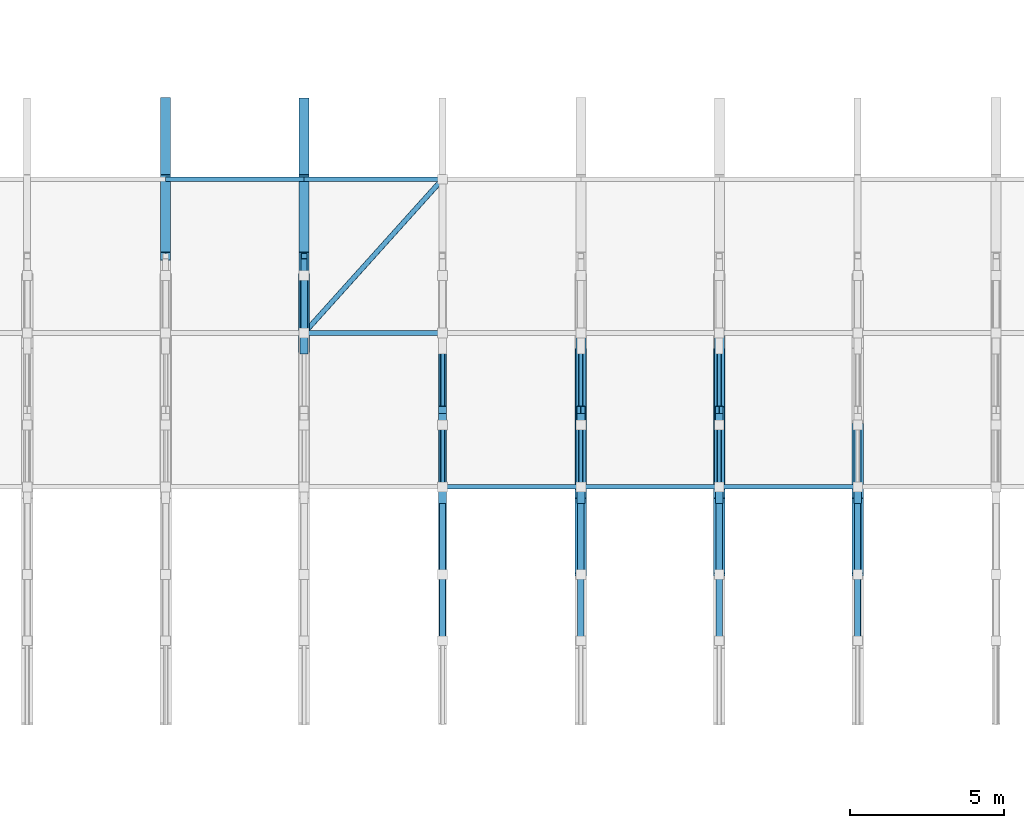
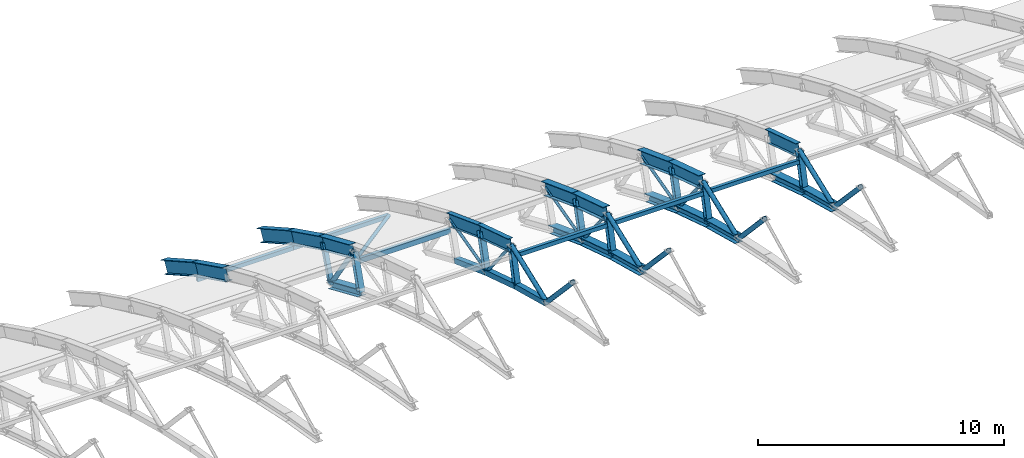
# One storey, part 45 of 103: 43 members, 12 beams.
"""IFC4 building model written with IfcOpenShell, lengths in metres."""

from ifc_helpers import new_model, si_unit, direction, frame, origin, origin_2d, place, context, subcontext, project, spatial, hollow_rectangle, hollow_circle, i_section, extrude, material, material_profile, profile_set, type_object, element, save


model = new_model("IFC4")

# Units and contexts
model_context = context("Model", 3, precision=1e-05, world=origin(), true_north=direction((0.0, 1.0)))
body_context = subcontext(model_context, "Body", "Model", "MODEL_VIEW")
ifc_project = project(units=[si_unit("LENGTHUNIT", "METRE"), si_unit("AREAUNIT", "SQUARE_METRE"), si_unit("VOLUMEUNIT", "CUBIC_METRE"), si_unit("PLANEANGLEUNIT", "RADIAN"), si_unit("MASSUNIT", "GRAM", prefix="KILO")], contexts=[model_context])

# Site, building, storey
site_placement = place(None, origin())
site = spatial("IfcSite", under=ifc_project, at=site_placement, CompositionType="ELEMENT")
building_placement = place(site_placement, origin())
building = spatial("IfcBuilding", under=site, at=building_placement, Name="Cazmaro Siding Exhibition Halls", CompositionType="ELEMENT")
storey_placement = place(building_placement, frame((0.0, 0.0, 16.5)))
storey = spatial("IfcBuildingStorey", under=building, at=storey_placement, Name="L03", CompositionType="ELEMENT", Elevation=16.5)

# Beams
ifc_material_1 = material(Name="Steel ASTM A992 Grade 50", Category="steel")
ifc_material_profile_1 = material_profile(ifc_material_1, i_section(OverallWidth=0.327880859375, OverallDepth=0.626953125, WebThickness=0.01708984375, FlangeThickness=0.028076171875, at=origin_2d()), Name="W24X146")
ifc_profile_set_1 = profile_set([ifc_material_profile_1], Name="Steel ASTM A992 Grade 50")
beam_type_1 = type_object("IfcBeamType", Name="AR-01", PredefinedType="USERDEFINED", material=ifc_profile_set_1)
beam_1_placement = place(storey_placement, frame((72.0, 116.5, 2.0400390625), z_axis=(0.0, 0.895996638269, -0.444060833908), x_axis=(-1.0, 0.0, 0.0)))
element("IfcBeam", 1, at=beam_1_placement, inside=storey, type_object=beam_type_1, Name="Space frame barrel vault arched rib AR-01 BM-0700", ObjectType="ARCHED RIB", PredefinedType="USERDEFINED", context=body_context, shape_type="SweptSolid", body=[
    extrude(i_section(OverallWidth=0.327880859375, OverallDepth=0.626953125, WebThickness=0.01708984375, FlangeThickness=0.028076171875, at=origin_2d()), origin(), (0.0, 0.0, 1.0), 2.790283203125),
])
beam_2_placement = place(storey_placement, frame((72.0, 119.0, 0.801025390625), z_axis=(0.0, 0.871320907359, -0.490713639916), x_axis=(-1.0, 0.0, 0.0)))
element("IfcBeam", 2, at=beam_2_placement, inside=storey, type_object=beam_type_1, Name="Space frame barrel vault arched rib AR-01 BM-0701", ObjectType="ARCHED RIB", PredefinedType="USERDEFINED", context=body_context, shape_type="SweptSolid", body=[
    extrude(i_section(OverallWidth=0.327880859375, OverallDepth=0.626953125, WebThickness=0.01708984375, FlangeThickness=0.028076171875, at=origin_2d()), origin(), (0.0, 0.0, 1.0), 2.869140625),
])
beam_3_placement = place(storey_placement, frame((85.5, 109.0, 4.85498046875), z_axis=(0.0, 0.952769241759, -0.303695195811), x_axis=(-1.0, 0.0, 0.0)))
element("IfcBeam", 3, at=beam_3_placement, inside=storey, type_object=beam_type_1, Name="Space frame barrel vault arched rib AR-01 BM-0769", ObjectType="ARCHED RIB", PredefinedType="USERDEFINED", context=body_context, shape_type="SweptSolid", body=[
    extrude(i_section(OverallWidth=0.327880859375, OverallDepth=0.626953125, WebThickness=0.01708984375, FlangeThickness=0.028076171875, at=origin_2d()), origin(), (0.0, 0.0, 1.0), 2.6240234375),
])
beam_4_placement = place(storey_placement, frame((85.5, 111.5, 4.05810546875), z_axis=(0.0, 0.936509460339, -0.350642311615), x_axis=(-1.0, 0.0, 0.0)))
element("IfcBeam", 4, at=beam_4_placement, inside=storey, type_object=beam_type_1, Name="Space frame barrel vault arched rib AR-01 BM-0770", ObjectType="ARCHED RIB", PredefinedType="USERDEFINED", context=body_context, shape_type="SweptSolid", body=[
    extrude(i_section(OverallWidth=0.327880859375, OverallDepth=0.626953125, WebThickness=0.01708984375, FlangeThickness=0.028076171875, at=origin_2d()), origin(), (0.0, 0.0, 1.0), 2.66943359375),
])
ifc_material_2 = material(Name="Steel ASTM A992 Grade 50", Category="steel")
ifc_material_profile_2 = material_profile(ifc_material_2, i_section(OverallWidth=0.324951171875, OverallDepth=0.612060546875, WebThickness=0.012939453125, FlangeThickness=0.01904296875, at=origin_2d()), Name="W24X104")
ifc_profile_set_2 = profile_set([ifc_material_profile_2], Name="Steel ASTM A992 Grade 50")
beam_type_2 = type_object("IfcBeamType", Name="AR-02", PredefinedType="USERDEFINED", material=ifc_profile_set_2)
beam_5_placement = place(storey_placement, frame((76.5, 114.0, 3.1220703125), z_axis=(0.0, 0.917729918626, -0.397204980405), x_axis=(-1.0, 0.0, 0.0)))
element("IfcBeam", 5, at=beam_5_placement, inside=storey, type_object=beam_type_2, Name="Space frame barrel vault arched rib AR-02 BM-0723", ObjectType="ARCHED RIB", PredefinedType="USERDEFINED", context=body_context, shape_type="SweptSolid", body=[
    extrude(i_section(OverallWidth=0.324951171875, OverallDepth=0.612060546875, WebThickness=0.012939453125, FlangeThickness=0.01904296875, at=origin_2d()), origin(), (0.0, 0.0, 1.0), 2.72412109375),
])
beam_6_placement = place(storey_placement, frame((76.5, 116.5, 2.0400390625), z_axis=(0.0, 0.895996638269, -0.444060833908), x_axis=(-1.0, 0.0, 0.0)))
element("IfcBeam", 6, at=beam_6_placement, inside=storey, type_object=beam_type_2, Name="Space frame barrel vault arched rib AR-02 BM-0724", ObjectType="ARCHED RIB", PredefinedType="USERDEFINED", context=body_context, shape_type="SweptSolid", body=[
    extrude(i_section(OverallWidth=0.324951171875, OverallDepth=0.612060546875, WebThickness=0.012939453125, FlangeThickness=0.01904296875, at=origin_2d()), origin(), (0.0, 0.0, 1.0), 2.790283203125),
])
beam_7_placement = place(storey_placement, frame((76.5, 119.0, 0.801025390625), z_axis=(0.0, 0.871320907359, -0.490713639916), x_axis=(-1.0, 0.0, 0.0)))
element("IfcBeam", 7, at=beam_7_placement, inside=storey, type_object=beam_type_2, Name="Space frame barrel vault arched rib AR-02 BM-0725", ObjectType="ARCHED RIB", PredefinedType="USERDEFINED", context=body_context, shape_type="SweptSolid", body=[
    extrude(i_section(OverallWidth=0.324951171875, OverallDepth=0.612060546875, WebThickness=0.012939453125, FlangeThickness=0.01904296875, at=origin_2d()), origin(), (0.0, 0.0, 1.0), 2.869140625),
])
beam_8_placement = place(storey_placement, frame((90.0, 109.0, 4.85498046875), z_axis=(0.0, 0.952769241759, -0.303695195811), x_axis=(-1.0, 0.0, 0.0)))
element("IfcBeam", 8, at=beam_8_placement, inside=storey, type_object=beam_type_2, Name="Space frame barrel vault arched rib AR-02 BM-0793", ObjectType="ARCHED RIB", PredefinedType="USERDEFINED", context=body_context, shape_type="SweptSolid", body=[
    extrude(i_section(OverallWidth=0.324951171875, OverallDepth=0.612060546875, WebThickness=0.012939453125, FlangeThickness=0.01904296875, at=origin_2d()), origin(), (0.0, 0.0, 1.0), 2.6240234375),
])
beam_9_placement = place(storey_placement, frame((90.0, 111.5, 4.05810546875), z_axis=(0.0, 0.936509460339, -0.350642311615), x_axis=(-1.0, 0.0, 0.0)))
element("IfcBeam", 9, at=beam_9_placement, inside=storey, type_object=beam_type_2, Name="Space frame barrel vault arched rib AR-02 BM-0794", ObjectType="ARCHED RIB", PredefinedType="USERDEFINED", context=body_context, shape_type="SweptSolid", body=[
    extrude(i_section(OverallWidth=0.324951171875, OverallDepth=0.612060546875, WebThickness=0.012939453125, FlangeThickness=0.01904296875, at=origin_2d()), origin(), (0.0, 0.0, 1.0), 2.66943359375),
])
ifc_material_3 = material(Name="Steel ASTM A992 Grade 50", Category="steel")
ifc_material_profile_3 = material_profile(ifc_material_3, i_section(OverallWidth=0.22900390625, OverallDepth=0.612060546875, WebThickness=0.011962890625, FlangeThickness=0.02001953125, at=origin_2d()), Name="W24X84")
ifc_profile_set_3 = profile_set([ifc_material_profile_3], Name="Steel ASTM A992 Grade 50")
beam_type_3 = type_object("IfcBeamType", Name="AR-03", PredefinedType="USERDEFINED", material=ifc_profile_set_3)
beam_10_placement = place(storey_placement, frame((81.0, 109.0, 4.85498046875), z_axis=(0.0, 0.952769241759, -0.303695195811), x_axis=(-1.0, 0.0, 0.0)))
element("IfcBeam", 10, at=beam_10_placement, inside=storey, type_object=beam_type_3, Name="Space frame barrel vault arched rib AR-03 BM-0745", ObjectType="ARCHED RIB", PredefinedType="USERDEFINED", context=body_context, shape_type="SweptSolid", body=[
    extrude(i_section(OverallWidth=0.22900390625, OverallDepth=0.612060546875, WebThickness=0.011962890625, FlangeThickness=0.02001953125, at=origin_2d()), origin(), (0.0, 0.0, 1.0), 2.6240234375),
])
beam_11_placement = place(storey_placement, frame((81.0, 111.5, 4.05810546875), z_axis=(0.0, 0.936509460339, -0.350642311615), x_axis=(-1.0, 0.0, 0.0)))
element("IfcBeam", 11, at=beam_11_placement, inside=storey, type_object=beam_type_3, Name="Space frame barrel vault arched rib AR-03 BM-0746", ObjectType="ARCHED RIB", PredefinedType="USERDEFINED", context=body_context, shape_type="SweptSolid", body=[
    extrude(i_section(OverallWidth=0.22900390625, OverallDepth=0.612060546875, WebThickness=0.011962890625, FlangeThickness=0.02001953125, at=origin_2d()), origin(), (0.0, 0.0, 1.0), 2.66943359375),
])
beam_12_placement = place(storey_placement, frame((94.5, 109.0, 4.85498046875), z_axis=(0.0, 0.952769241759, -0.303695195811), x_axis=(-1.0, 0.0, 0.0)))
element("IfcBeam", 12, at=beam_12_placement, inside=storey, type_object=beam_type_3, Name="Space frame barrel vault arched rib AR-03 BM-0817", ObjectType="ARCHED RIB", PredefinedType="USERDEFINED", context=body_context, shape_type="SweptSolid", body=[
    extrude(i_section(OverallWidth=0.22900390625, OverallDepth=0.612060546875, WebThickness=0.011962890625, FlangeThickness=0.02001953125, at=origin_2d()), origin(), (0.0, 0.0, 1.0), 2.6240234375),
])

# Members
ifc_material_4 = material(Name="Steel ASTM A500 Grade C", Category="steel")
ifc_material_profile_4 = material_profile(ifc_material_4, hollow_rectangle(XDim=0.152099609375, YDim=0.202880859375, WallThickness=0.011962890625, at=origin_2d()), Name="HSS8X6X1/2")
ifc_profile_set_4 = profile_set([ifc_material_profile_4], Name="Steel ASTM A500 Grade C")
member_type_1 = type_object("IfcMemberType", Name="RP-01", PredefinedType="PURLIN", material=ifc_profile_set_4)
for number, where, z_axis, x_axis, name in (
    (13, (72.0, 119.0, 0.260986328125), (1.0, 0.0, 0.0), (0.0, 1.0, 0.0), "Space frame barrel vault purlin RP-01 MEM-2046"),
    (14, (76.5, 119.0, 0.260986328125), (1.0, 0.0, 0.0), (0.0, 1.0, 0.0), "Space frame barrel vault purlin RP-01 MEM-2057"),
    (15, (81.0, 109.0, 4.31494140625), (1.0, 0.0, 0.0), (0.0, 1.0, 0.0), "Space frame barrel vault purlin RP-01 MEM-2072"),
    (16, (85.5, 109.0, 4.31494140625), (1.0, 0.0, 0.0), (0.0, 1.0, 0.0), "Space frame barrel vault purlin RP-01 MEM-2083"),
    (17, (90.0, 109.0, 4.31494140625), (1.0, 0.0, 0.0), (0.0, 1.0, 0.0), "Space frame barrel vault purlin RP-01 MEM-2094"),
):
    element("IfcMember", number, at=place(storey_placement, frame(where, z_axis=z_axis, x_axis=x_axis)), inside=storey, type_object=member_type_1, Name=name, PredefinedType="PURLIN", context=body_context, shape_type="SweptSolid", body=[
        extrude(hollow_rectangle(XDim=0.152099609375, YDim=0.202880859375, WallThickness=0.011962890625, at=origin_2d()), origin(), (0.0, 0.0, 1.0), 4.5),
    ])
ifc_material_5 = material(Name="Steel ASTM A500 Grade C", Category="steel")
ifc_material_profile_5 = material_profile(ifc_material_5, hollow_rectangle(XDim=0.152099609375, YDim=0.25390625, WallThickness=0.011962890625, at=origin_2d()), Name="HSS10X6X1/2")
ifc_profile_set_5 = profile_set([ifc_material_profile_5], Name="Steel ASTM A500 Grade C")
member_type_2 = type_object("IfcMemberType", Name="RP-04", PredefinedType="PURLIN", material=ifc_profile_set_5)
member_1_placement = place(storey_placement, frame((76.5, 114.0, 2.58203125), z_axis=(1.0, 0.0, 0.0), x_axis=(0.0, 1.0, 0.0)))
element("IfcMember", 18, at=member_1_placement, inside=storey, type_object=member_type_2, Name="Space frame barrel vault purlin RP-04 MEM-2056", PredefinedType="PURLIN", context=body_context, shape_type="SweptSolid", body=[
    extrude(hollow_rectangle(XDim=0.152099609375, YDim=0.25390625, WallThickness=0.011962890625, at=origin_2d()), origin(), (0.0, 0.0, 1.0), 4.5),
])
ifc_material_6 = material(Name="Steel ASTM A500 Grade C", Category="steel")
ifc_material_profile_6 = material_profile(ifc_material_6, hollow_rectangle(XDim=0.25390625, YDim=0.25390625, WallThickness=0.014892578125, at=origin_2d()), Name="HSS10X10X5/8")
ifc_profile_set_6 = profile_set([ifc_material_profile_6], Name="Steel ASTM A500 Grade C")
member_type_3 = type_object("IfcMemberType", Name="TC-01", PredefinedType="CHORD", material=ifc_profile_set_6)
member_2_placement = place(storey_placement, frame((81.0, 106.14990234375, 3.760986328125), z_axis=(0.0, 0.966437683387, -0.256901156343), x_axis=(-1.0, 0.0, 0.0)))
element("IfcMember", 19, at=member_2_placement, inside=storey, type_object=member_type_3, Name="Space frame barrel vault bottom chord TC-01 MEM-0555", PredefinedType="CHORD", context=body_context, shape_type="SweptSolid", body=[
    extrude(hollow_rectangle(XDim=0.25390625, YDim=0.25390625, WallThickness=0.014892578125, at=origin_2d()), origin(), (0.0, 0.0, 1.0), 2.5146484375),
])
member_3_placement = place(storey_placement, frame((81.0, 108.580078125, 3.114990234375), z_axis=(0.0, 0.952692842525, -0.303934775573), x_axis=(-1.0, 0.0, 0.0)))
element("IfcMember", 20, at=member_3_placement, inside=storey, type_object=member_type_3, Name="Space frame barrel vault bottom chord TC-01 MEM-0557", PredefinedType="CHORD", context=body_context, shape_type="SweptSolid", body=[
    extrude(hollow_rectangle(XDim=0.25390625, YDim=0.25390625, WallThickness=0.014892578125, at=origin_2d()), origin(), (0.0, 0.0, 1.0), 2.549560546875),
])
member_4_placement = place(storey_placement, frame((81.0, 111.009033203125, 2.340087890625), z_axis=(0.0, 0.936588022869, -0.350432412053), x_axis=(-1.0, 0.0, 0.0)))
element("IfcMember", 21, at=member_4_placement, inside=storey, type_object=member_type_3, Name="Space frame barrel vault bottom chord TC-01 MEM-0559", PredefinedType="CHORD", context=body_context, shape_type="SweptSolid", body=[
    extrude(hollow_rectangle(XDim=0.25390625, YDim=0.25390625, WallThickness=0.014892578125, at=origin_2d()), origin(), (0.0, 0.0, 1.0), 2.594482421875),
])
ifc_material_7 = material(Name="Steel ASTM A992 Grade 50", Category="steel")
ifc_material_profile_7 = material_profile(ifc_material_7, i_section(OverallWidth=0.37109375, OverallDepth=0.364013671875, WebThickness=0.012939453125, FlangeThickness=0.02197265625, at=origin_2d()), Name="W14X109")
ifc_profile_set_7 = profile_set([ifc_material_profile_7], Name="Steel ASTM A992 Grade 50")
member_type_4 = type_object("IfcMemberType", Name="TC-06", PredefinedType="CHORD", material=ifc_profile_set_7)
member_5_placement = place(storey_placement, frame((76.5, 113.43896484375, 1.430908203125), z_axis=(0.0, 0.917689003843, -0.397299499403), x_axis=(-1.0, 0.0, 0.0)))
element("IfcMember", 22, at=member_5_placement, inside=storey, type_object=member_type_4, Name="Space frame barrel vault bottom chord TC-06 MEM-0490", PredefinedType="CHORD", context=body_context, shape_type="SweptSolid", body=[
    extrude(i_section(OverallWidth=0.37109375, OverallDepth=0.364013671875, WebThickness=0.012939453125, FlangeThickness=0.02197265625, at=origin_2d()), origin(), (0.0, 0.0, 1.0), 2.64794921875),
])
member_6_placement = place(storey_placement, frame((85.5, 106.14990234375, 3.760986328125), z_axis=(0.0, 0.966437683387, -0.256901156343), x_axis=(-1.0, 0.0, 0.0)))
element("IfcMember", 23, at=member_6_placement, inside=storey, type_object=member_type_4, Name="Space frame barrel vault bottom chord TC-06 MEM-0626", PredefinedType="CHORD", context=body_context, shape_type="SweptSolid", body=[
    extrude(i_section(OverallWidth=0.37109375, OverallDepth=0.364013671875, WebThickness=0.012939453125, FlangeThickness=0.02197265625, at=origin_2d()), origin(), (0.0, 0.0, 1.0), 2.5146484375),
])
member_7_placement = place(storey_placement, frame((85.5, 108.580078125, 3.114990234375), z_axis=(0.0, 0.952692842525, -0.303934775573), x_axis=(-1.0, 0.0, 0.0)))
element("IfcMember", 24, at=member_7_placement, inside=storey, type_object=member_type_4, Name="Space frame barrel vault bottom chord TC-06 MEM-0628", PredefinedType="CHORD", context=body_context, shape_type="SweptSolid", body=[
    extrude(i_section(OverallWidth=0.37109375, OverallDepth=0.364013671875, WebThickness=0.012939453125, FlangeThickness=0.02197265625, at=origin_2d()), origin(), (0.0, 0.0, 1.0), 2.549560546875),
])
member_8_placement = place(storey_placement, frame((85.5, 111.009033203125, 2.340087890625), z_axis=(0.0, 0.936588022869, -0.350432412053), x_axis=(-1.0, 0.0, 0.0)))
element("IfcMember", 25, at=member_8_placement, inside=storey, type_object=member_type_4, Name="Space frame barrel vault bottom chord TC-06 MEM-0630", PredefinedType="CHORD", context=body_context, shape_type="SweptSolid", body=[
    extrude(i_section(OverallWidth=0.37109375, OverallDepth=0.364013671875, WebThickness=0.012939453125, FlangeThickness=0.02197265625, at=origin_2d()), origin(), (0.0, 0.0, 1.0), 2.594482421875),
])
member_9_placement = place(storey_placement, frame((90.0, 106.14990234375, 3.760986328125), z_axis=(0.0, 0.966437683387, -0.256901156343), x_axis=(-1.0, 0.0, 0.0)))
element("IfcMember", 26, at=member_9_placement, inside=storey, type_object=member_type_4, Name="Space frame barrel vault bottom chord TC-06 MEM-0697", PredefinedType="CHORD", context=body_context, shape_type="SweptSolid", body=[
    extrude(i_section(OverallWidth=0.37109375, OverallDepth=0.364013671875, WebThickness=0.012939453125, FlangeThickness=0.02197265625, at=origin_2d()), origin(), (0.0, 0.0, 1.0), 2.5146484375),
])
member_10_placement = place(storey_placement, frame((90.0, 108.580078125, 3.114990234375), z_axis=(0.0, 0.952692842525, -0.303934775573), x_axis=(-1.0, 0.0, 0.0)))
element("IfcMember", 27, at=member_10_placement, inside=storey, type_object=member_type_4, Name="Space frame barrel vault bottom chord TC-06 MEM-0699", PredefinedType="CHORD", context=body_context, shape_type="SweptSolid", body=[
    extrude(i_section(OverallWidth=0.37109375, OverallDepth=0.364013671875, WebThickness=0.012939453125, FlangeThickness=0.02197265625, at=origin_2d()), origin(), (0.0, 0.0, 1.0), 2.549560546875),
])
member_11_placement = place(storey_placement, frame((90.0, 111.009033203125, 2.340087890625), z_axis=(0.0, 0.936588022869, -0.350432412053), x_axis=(-1.0, 0.0, 0.0)))
element("IfcMember", 28, at=member_11_placement, inside=storey, type_object=member_type_4, Name="Space frame barrel vault bottom chord TC-06 MEM-0701", PredefinedType="CHORD", context=body_context, shape_type="SweptSolid", body=[
    extrude(i_section(OverallWidth=0.37109375, OverallDepth=0.364013671875, WebThickness=0.012939453125, FlangeThickness=0.02197265625, at=origin_2d()), origin(), (0.0, 0.0, 1.0), 2.594482421875),
])
member_12_placement = place(storey_placement, frame((94.5, 106.14990234375, 3.760986328125), z_axis=(0.0, 0.966437683387, -0.256901156343), x_axis=(-1.0, 0.0, 0.0)))
element("IfcMember", 29, at=member_12_placement, inside=storey, type_object=member_type_4, Name="Space frame barrel vault bottom chord TC-06 MEM-0768", PredefinedType="CHORD", context=body_context, shape_type="SweptSolid", body=[
    extrude(i_section(OverallWidth=0.37109375, OverallDepth=0.364013671875, WebThickness=0.012939453125, FlangeThickness=0.02197265625, at=origin_2d()), origin(), (0.0, 0.0, 1.0), 2.5146484375),
])
member_13_placement = place(storey_placement, frame((94.5, 108.580078125, 3.114990234375), z_axis=(0.0, 0.952692842525, -0.303934775573), x_axis=(-1.0, 0.0, 0.0)))
element("IfcMember", 30, at=member_13_placement, inside=storey, type_object=member_type_4, Name="Space frame barrel vault bottom chord TC-06 MEM-0770", PredefinedType="CHORD", context=body_context, shape_type="SweptSolid", body=[
    extrude(i_section(OverallWidth=0.37109375, OverallDepth=0.364013671875, WebThickness=0.012939453125, FlangeThickness=0.02197265625, at=origin_2d()), origin(), (0.0, 0.0, 1.0), 2.549560546875),
])
ifc_material_8 = material(Name="Steel ASTM A500 Grade C", Category="steel")
ifc_material_profile_8 = material_profile(ifc_material_8, hollow_rectangle(XDim=0.202880859375, YDim=0.202880859375, WallThickness=0.011962890625, at=origin_2d()), Name="HSS8X8X1/2")
ifc_profile_set_8 = profile_set([ifc_material_profile_8], Name="Steel ASTM A500 Grade C")
member_type_5 = type_object("IfcMemberType", Name="TP-01", PredefinedType="POST", material=ifc_profile_set_8)
member_14_placement = place(storey_placement, frame((76.5, 115.868896484375, 0.37890625), z_axis=(0.0, 0.355155331276, 0.934807301355), x_axis=(-1.0, 0.0, 0.0)))
element("IfcMember", 31, at=member_14_placement, inside=storey, type_object=member_type_5, Name="Space frame barrel vault post TP-01 MEM-0518", PredefinedType="POST", context=body_context, shape_type="SweptSolid", body=[
    extrude(hollow_rectangle(XDim=0.202880859375, YDim=0.202880859375, WallThickness=0.011962890625, at=origin_2d()), origin(), (0.0, 0.0, 1.0), 1.777099609375),
])
ifc_material_9 = material(Name="Steel ASTM A992 Grade 50", Category="steel")
ifc_material_profile_9 = material_profile(ifc_material_9, i_section(OverallWidth=0.25390625, OverallDepth=0.25390625, WebThickness=0.009033203125, FlangeThickness=0.013916015625, at=origin_2d()), Name="W10X49")
ifc_profile_set_9 = profile_set([ifc_material_profile_9], Name="Steel ASTM A992 Grade 50")
member_type_6 = type_object("IfcMemberType", Name="TP-04", PredefinedType="POST", material=ifc_profile_set_9)
member_15_placement = place(storey_placement, frame((76.5, 113.43896484375, 1.430908203125), z_axis=(0.0, 0.314870949103, 0.949134492794), x_axis=(-1.0, 0.0, 0.0)))
element("IfcMember", 32, at=member_15_placement, inside=storey, type_object=member_type_6, Name="Space frame barrel vault post TP-04 MEM-0517", PredefinedType="POST", context=body_context, shape_type="SweptSolid", body=[
    extrude(i_section(OverallWidth=0.25390625, OverallDepth=0.25390625, WebThickness=0.009033203125, FlangeThickness=0.013916015625, at=origin_2d()), origin(), (0.0, 0.0, 1.0), 1.78173828125),
])
member_16_placement = place(storey_placement, frame((81.0, 108.580078125, 3.114990234375), z_axis=(0.0, 0.234600533729, 0.972091862724), x_axis=(-1.0, 0.0, 0.0)))
element("IfcMember", 33, at=member_16_placement, inside=storey, type_object=member_type_6, Name="Space frame barrel vault post TP-04 MEM-0586", PredefinedType="POST", context=body_context, shape_type="SweptSolid", body=[
    extrude(i_section(OverallWidth=0.25390625, OverallDepth=0.25390625, WebThickness=0.009033203125, FlangeThickness=0.013916015625, at=origin_2d()), origin(), (0.0, 0.0, 1.0), 1.7900390625),
])
member_17_placement = place(storey_placement, frame((81.0, 111.009033203125, 2.340087890625), z_axis=(0.0, 0.274775266308, 0.961508477875), x_axis=(-1.0, 0.0, 0.0)))
element("IfcMember", 34, at=member_17_placement, inside=storey, type_object=member_type_6, Name="Space frame barrel vault post TP-04 MEM-0587", PredefinedType="POST", context=body_context, shape_type="SweptSolid", body=[
    extrude(i_section(OverallWidth=0.25390625, OverallDepth=0.25390625, WebThickness=0.009033203125, FlangeThickness=0.013916015625, at=origin_2d()), origin(), (0.0, 0.0, 1.0), 1.786865234375),
])
member_18_placement = place(storey_placement, frame((85.5, 108.580078125, 3.114990234375), z_axis=(0.0, 0.234600533729, 0.972091862724), x_axis=(-1.0, 0.0, 0.0)))
element("IfcMember", 35, at=member_18_placement, inside=storey, type_object=member_type_6, Name="Space frame barrel vault post TP-04 MEM-0657", PredefinedType="POST", context=body_context, shape_type="SweptSolid", body=[
    extrude(i_section(OverallWidth=0.25390625, OverallDepth=0.25390625, WebThickness=0.009033203125, FlangeThickness=0.013916015625, at=origin_2d()), origin(), (0.0, 0.0, 1.0), 1.7900390625),
])
member_19_placement = place(storey_placement, frame((85.5, 111.009033203125, 2.340087890625), z_axis=(0.0, 0.274775266308, 0.961508477875), x_axis=(-1.0, 0.0, 0.0)))
element("IfcMember", 36, at=member_19_placement, inside=storey, type_object=member_type_6, Name="Space frame barrel vault post TP-04 MEM-0658", PredefinedType="POST", context=body_context, shape_type="SweptSolid", body=[
    extrude(i_section(OverallWidth=0.25390625, OverallDepth=0.25390625, WebThickness=0.009033203125, FlangeThickness=0.013916015625, at=origin_2d()), origin(), (0.0, 0.0, 1.0), 1.786865234375),
])
member_20_placement = place(storey_placement, frame((90.0, 108.580078125, 3.114990234375), z_axis=(0.0, 0.234600533729, 0.972091862724), x_axis=(-1.0, 0.0, 0.0)))
element("IfcMember", 37, at=member_20_placement, inside=storey, type_object=member_type_6, Name="Space frame barrel vault post TP-04 MEM-0728", PredefinedType="POST", context=body_context, shape_type="SweptSolid", body=[
    extrude(i_section(OverallWidth=0.25390625, OverallDepth=0.25390625, WebThickness=0.009033203125, FlangeThickness=0.013916015625, at=origin_2d()), origin(), (0.0, 0.0, 1.0), 1.7900390625),
])
member_21_placement = place(storey_placement, frame((90.0, 111.009033203125, 2.340087890625), z_axis=(0.0, 0.274775266308, 0.961508477875), x_axis=(-1.0, 0.0, 0.0)))
element("IfcMember", 38, at=member_21_placement, inside=storey, type_object=member_type_6, Name="Space frame barrel vault post TP-04 MEM-0729", PredefinedType="POST", context=body_context, shape_type="SweptSolid", body=[
    extrude(i_section(OverallWidth=0.25390625, OverallDepth=0.25390625, WebThickness=0.009033203125, FlangeThickness=0.013916015625, at=origin_2d()), origin(), (0.0, 0.0, 1.0), 1.786865234375),
])
member_22_placement = place(storey_placement, frame((94.5, 108.580078125, 3.114990234375), z_axis=(0.0, 0.234600533729, 0.972091862724), x_axis=(-1.0, 0.0, 0.0)))
element("IfcMember", 39, at=member_22_placement, inside=storey, type_object=member_type_6, Name="Space frame barrel vault post TP-04 MEM-0799", PredefinedType="POST", context=body_context, shape_type="SweptSolid", body=[
    extrude(i_section(OverallWidth=0.25390625, OverallDepth=0.25390625, WebThickness=0.009033203125, FlangeThickness=0.013916015625, at=origin_2d()), origin(), (0.0, 0.0, 1.0), 1.7900390625),
])
ifc_material_10 = material(Name="Steel ASTM A500 Grade C", Category="steel")
ifc_material_profile_10 = material_profile(ifc_material_10, hollow_circle(Radius=0.109619140625, WallThickness=0.012939453125, at=origin_2d()), Name="PIPE8XS")
ifc_profile_set_10 = profile_set([ifc_material_profile_10], Name="Steel ASTM A500 Grade C")
member_type_7 = type_object("IfcMemberType", Name="WB-01", PredefinedType="BRACE", material=ifc_profile_set_10)
member_23_placement = place(storey_placement, frame((76.5, 114.0, 3.1220703125), z_axis=(0.0, 0.563040090795, -0.826429583302), x_axis=(-1.0, 0.0, 0.0)))
element("IfcMember", 40, at=member_23_placement, inside=storey, type_object=member_type_7, Name="Space frame barrel vault diagonal WB-01 MEM-0491", PredefinedType="BRACE", context=body_context, shape_type="SweptSolid", body=[
    extrude(hollow_circle(Radius=0.109619140625, WallThickness=0.012939453125, at=origin_2d()), origin(), (0.0, 0.0, 1.0), 3.3193359375),
])
member_24_placement = place(storey_placement, frame((81.0, 104.0, 6.056884765625), z_axis=(0.0, 0.683517575744, -0.729934054315), x_axis=(-1.0, 0.0, 0.0)))
element("IfcMember", 41, at=member_24_placement, inside=storey, type_object=member_type_7, Name="Space frame barrel vault diagonal WB-01 MEM-0554", PredefinedType="BRACE", context=body_context, shape_type="SweptSolid", body=[
    extrude(hollow_circle(Radius=0.109619140625, WallThickness=0.012939453125, at=origin_2d()), origin(), (0.0, 0.0, 1.0), 3.145263671875),
])
member_25_placement = place(storey_placement, frame((81.0, 106.14990234375, 3.760986328125), z_axis=(0.0, 0.933586546586, 0.358352005761), x_axis=(-1.0, 0.0, 0.0)))
element("IfcMember", 42, at=member_25_placement, inside=storey, type_object=member_type_7, Name="Space frame barrel vault diagonal WB-01 MEM-0556", PredefinedType="BRACE", context=body_context, shape_type="SweptSolid", body=[
    extrude(hollow_circle(Radius=0.109619140625, WallThickness=0.012939453125, at=origin_2d()), origin(), (0.0, 0.0, 1.0), 3.052734375),
])
member_26_placement = place(storey_placement, frame((85.5, 104.0, 6.056884765625), z_axis=(0.0, 0.683517575744, -0.729934054315), x_axis=(-1.0, 0.0, 0.0)))
element("IfcMember", 43, at=member_26_placement, inside=storey, type_object=member_type_7, Name="Space frame barrel vault diagonal WB-01 MEM-0625", PredefinedType="BRACE", context=body_context, shape_type="SweptSolid", body=[
    extrude(hollow_circle(Radius=0.109619140625, WallThickness=0.012939453125, at=origin_2d()), origin(), (0.0, 0.0, 1.0), 3.145263671875),
])
member_27_placement = place(storey_placement, frame((85.5, 106.14990234375, 3.760986328125), z_axis=(0.0, 0.933586546586, 0.358352005761), x_axis=(-1.0, 0.0, 0.0)))
element("IfcMember", 44, at=member_27_placement, inside=storey, type_object=member_type_7, Name="Space frame barrel vault diagonal WB-01 MEM-0627", PredefinedType="BRACE", context=body_context, shape_type="SweptSolid", body=[
    extrude(hollow_circle(Radius=0.109619140625, WallThickness=0.012939453125, at=origin_2d()), origin(), (0.0, 0.0, 1.0), 3.052734375),
])
member_28_placement = place(storey_placement, frame((90.0, 104.0, 6.056884765625), z_axis=(0.0, 0.683517575744, -0.729934054315), x_axis=(-1.0, 0.0, 0.0)))
element("IfcMember", 45, at=member_28_placement, inside=storey, type_object=member_type_7, Name="Space frame barrel vault diagonal WB-01 MEM-0696", PredefinedType="BRACE", context=body_context, shape_type="SweptSolid", body=[
    extrude(hollow_circle(Radius=0.109619140625, WallThickness=0.012939453125, at=origin_2d()), origin(), (0.0, 0.0, 1.0), 3.145263671875),
])
member_29_placement = place(storey_placement, frame((90.0, 106.14990234375, 3.760986328125), z_axis=(0.0, 0.933586546586, 0.358352005761), x_axis=(-1.0, 0.0, 0.0)))
element("IfcMember", 46, at=member_29_placement, inside=storey, type_object=member_type_7, Name="Space frame barrel vault diagonal WB-01 MEM-0698", PredefinedType="BRACE", context=body_context, shape_type="SweptSolid", body=[
    extrude(hollow_circle(Radius=0.109619140625, WallThickness=0.012939453125, at=origin_2d()), origin(), (0.0, 0.0, 1.0), 3.052734375),
])
member_30_placement = place(storey_placement, frame((94.5, 104.0, 6.056884765625), z_axis=(0.0, 0.683517575744, -0.729934054315), x_axis=(-1.0, 0.0, 0.0)))
element("IfcMember", 47, at=member_30_placement, inside=storey, type_object=member_type_7, Name="Space frame barrel vault diagonal WB-01 MEM-0767", PredefinedType="BRACE", context=body_context, shape_type="SweptSolid", body=[
    extrude(hollow_circle(Radius=0.109619140625, WallThickness=0.012939453125, at=origin_2d()), origin(), (0.0, 0.0, 1.0), 3.145263671875),
])
member_31_placement = place(storey_placement, frame((94.5, 106.14990234375, 3.760986328125), z_axis=(0.0, 0.933586546586, 0.358352005761), x_axis=(-1.0, 0.0, 0.0)))
element("IfcMember", 48, at=member_31_placement, inside=storey, type_object=member_type_7, Name="Space frame barrel vault diagonal WB-01 MEM-0769", PredefinedType="BRACE", context=body_context, shape_type="SweptSolid", body=[
    extrude(hollow_circle(Radius=0.109619140625, WallThickness=0.012939453125, at=origin_2d()), origin(), (0.0, 0.0, 1.0), 3.052734375),
])
ifc_material_11 = material(Name="Steel ASTM A500 Grade C", Category="steel")
ifc_material_profile_11 = material_profile(ifc_material_11, hollow_circle(Radius=0.083984375, WallThickness=0.01806640625, at=origin_2d()), Name="PIPE6XXS")
ifc_profile_set_11 = profile_set([ifc_material_profile_11], Name="Steel ASTM A500 Grade C")
member_type_8 = type_object("IfcMemberType", Name="WB-05", PredefinedType="BRACE", material=ifc_profile_set_11)
member_32_placement = place(storey_placement, frame((76.5, 114.0, 2.58203125), z_axis=(0.632379029545, 0.702643366161, -0.326173363384), x_axis=(-0.743294146247, 0.668964731622, 0.0)))
element("IfcMember", 49, at=member_32_placement, inside=storey, type_object=member_type_8, Name="Space frame barrel vault wind brace WB-05 MEM-2061", PredefinedType="BRACE", context=body_context, shape_type="SweptSolid", body=[
    extrude(hollow_circle(Radius=0.083984375, WallThickness=0.01806640625, at=origin_2d()), origin(), (0.0, 0.0, 1.0), 7.115966796875),
])
ifc_material_12 = material(Name="Steel ASTM A500 Grade C", Category="steel")
ifc_material_profile_12 = material_profile(ifc_material_12, hollow_circle(Radius=0.070556640625, WallThickness=0.01904296875, at=origin_2d()), Name="PIPE5XXS")
ifc_profile_set_12 = profile_set([ifc_material_profile_12], Name="Steel ASTM A500 Grade C")
member_type_9 = type_object("IfcMemberType", Name="WB-07", PredefinedType="BRACE", material=ifc_profile_set_12)
member_33_placement = place(storey_placement, frame((81.0, 109.0, 4.85498046875), z_axis=(0.0, 0.624149162907, -0.781305204412), x_axis=(-1.0, 0.0, 0.0)))
element("IfcMember", 50, at=member_33_placement, inside=storey, type_object=member_type_9, Name="Space frame barrel vault diagonal WB-07 MEM-0558", PredefinedType="BRACE", context=body_context, shape_type="SweptSolid", body=[
    extrude(hollow_circle(Radius=0.070556640625, WallThickness=0.01904296875, at=origin_2d()), origin(), (0.0, 0.0, 1.0), 3.21875),
])
member_34_placement = place(storey_placement, frame((81.0, 111.009033203125, 2.340087890625), z_axis=(0.0, 0.967480432857, 0.252945867802), x_axis=(-1.0, 0.0, 0.0)))
element("IfcMember", 51, at=member_34_placement, inside=storey, type_object=member_type_9, Name="Space frame barrel vault diagonal WB-07 MEM-0560", PredefinedType="BRACE", context=body_context, shape_type="SweptSolid", body=[
    extrude(hollow_circle(Radius=0.070556640625, WallThickness=0.01904296875, at=origin_2d()), origin(), (0.0, 0.0, 1.0), 3.091552734375),
])
member_35_placement = place(storey_placement, frame((85.5, 109.0, 4.85498046875), z_axis=(0.0, 0.624149162907, -0.781305204412), x_axis=(-1.0, 0.0, 0.0)))
element("IfcMember", 52, at=member_35_placement, inside=storey, type_object=member_type_9, Name="Space frame barrel vault diagonal WB-07 MEM-0629", PredefinedType="BRACE", context=body_context, shape_type="SweptSolid", body=[
    extrude(hollow_circle(Radius=0.070556640625, WallThickness=0.01904296875, at=origin_2d()), origin(), (0.0, 0.0, 1.0), 3.21875),
])
member_36_placement = place(storey_placement, frame((85.5, 111.009033203125, 2.340087890625), z_axis=(0.0, 0.967480432857, 0.252945867802), x_axis=(-1.0, 0.0, 0.0)))
element("IfcMember", 53, at=member_36_placement, inside=storey, type_object=member_type_9, Name="Space frame barrel vault diagonal WB-07 MEM-0631", PredefinedType="BRACE", context=body_context, shape_type="SweptSolid", body=[
    extrude(hollow_circle(Radius=0.070556640625, WallThickness=0.01904296875, at=origin_2d()), origin(), (0.0, 0.0, 1.0), 3.091552734375),
])
member_37_placement = place(storey_placement, frame((90.0, 109.0, 4.85498046875), z_axis=(0.0, 0.624149162907, -0.781305204412), x_axis=(-1.0, 0.0, 0.0)))
element("IfcMember", 54, at=member_37_placement, inside=storey, type_object=member_type_9, Name="Space frame barrel vault diagonal WB-07 MEM-0700", PredefinedType="BRACE", context=body_context, shape_type="SweptSolid", body=[
    extrude(hollow_circle(Radius=0.070556640625, WallThickness=0.01904296875, at=origin_2d()), origin(), (0.0, 0.0, 1.0), 3.21875),
])
member_38_placement = place(storey_placement, frame((90.0, 111.009033203125, 2.340087890625), z_axis=(0.0, 0.967480432857, 0.252945867802), x_axis=(-1.0, 0.0, 0.0)))
element("IfcMember", 55, at=member_38_placement, inside=storey, type_object=member_type_9, Name="Space frame barrel vault diagonal WB-07 MEM-0702", PredefinedType="BRACE", context=body_context, shape_type="SweptSolid", body=[
    extrude(hollow_circle(Radius=0.070556640625, WallThickness=0.01904296875, at=origin_2d()), origin(), (0.0, 0.0, 1.0), 3.091552734375),
])

save(model, "model.ifc")
